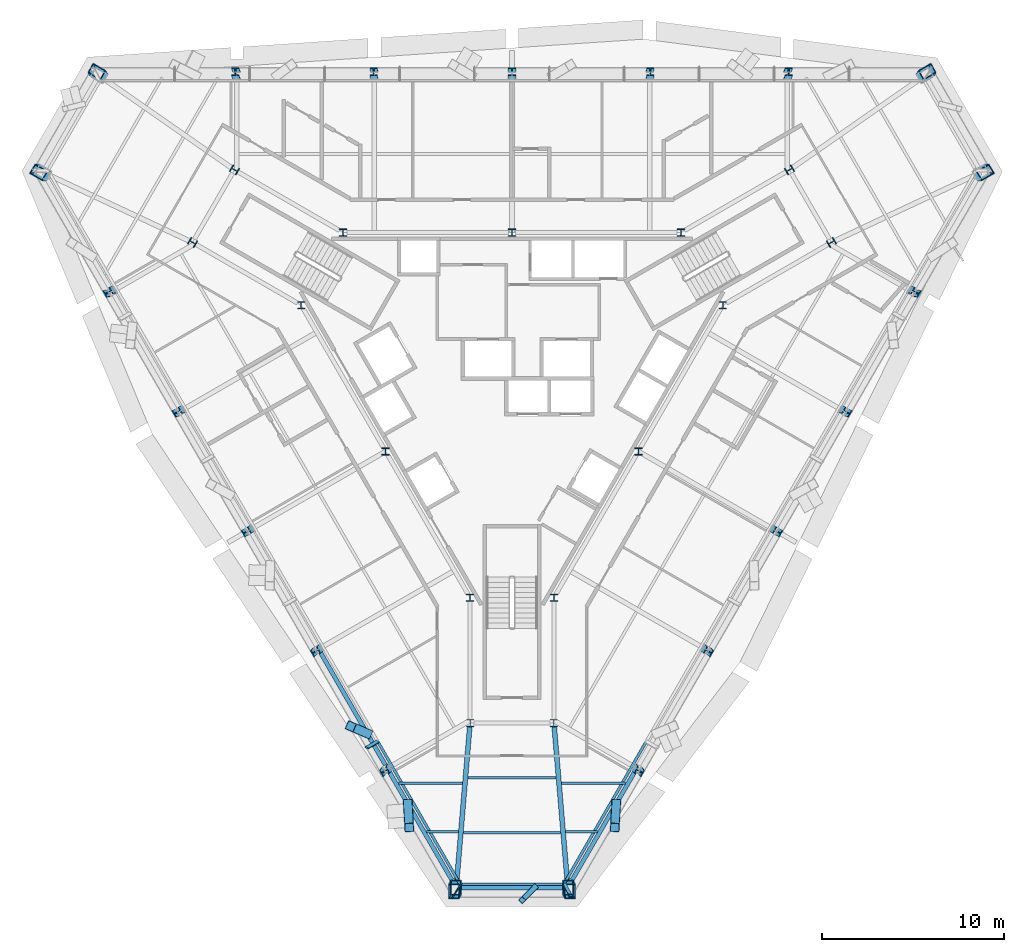
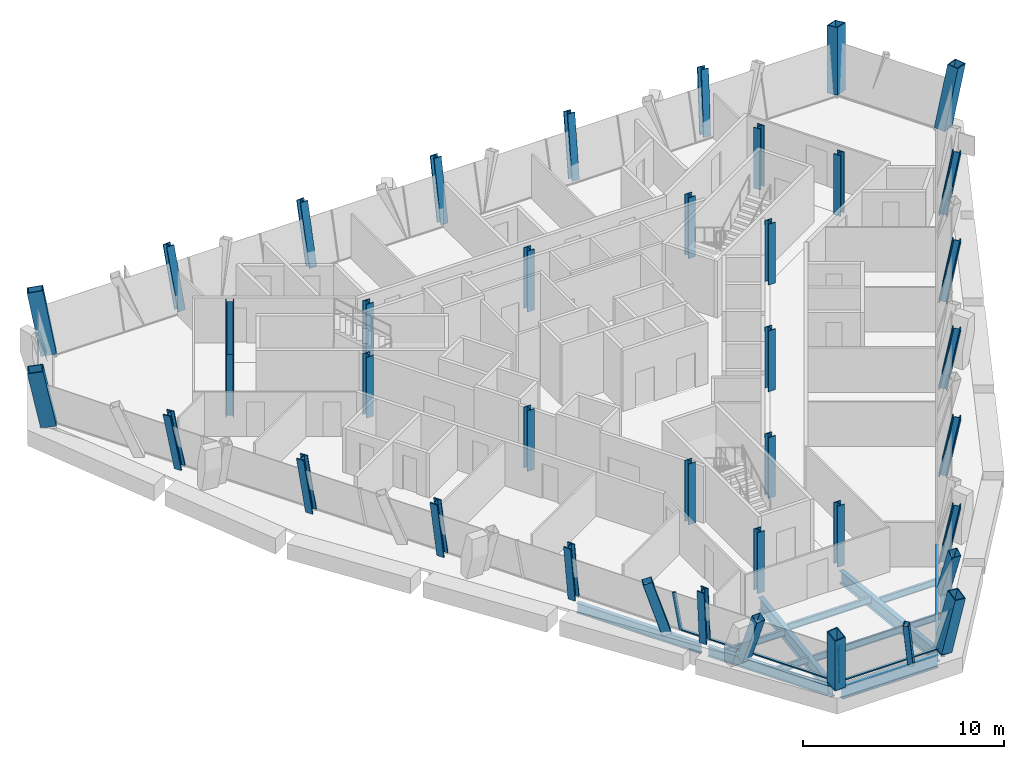
# One storey, part 1 of 11: 36 columns, 12 beams, 12 members, 3 elements without a shape of their own.
"""IFC4 building model written with IfcOpenShell, lengths in metres."""

from ifc_helpers import new_model, si_unit, direction, frame, origin, origin_2d, place, context, subcontext, project, spatial, rectangle, hollow_rectangle, i_section, extrude, material, material_profile, profile_set, type_object, element, aggregate, save


model = new_model("IFC4")

# Units and contexts
model_context = context("Model", 3, precision=1e-05, world=origin(), true_north=direction((0.0, 1.0)))
body_context = subcontext(model_context, "Body", "Model", "MODEL_VIEW")
ifc_project = project(units=[si_unit("LENGTHUNIT", "METRE"), si_unit("AREAUNIT", "SQUARE_METRE"), si_unit("VOLUMEUNIT", "CUBIC_METRE"), si_unit("PLANEANGLEUNIT", "RADIAN"), si_unit("MASSUNIT", "GRAM", prefix="KILO")], contexts=[model_context])

# Site, building, storey
site_placement = place(None, origin())
site = spatial("IfcSite", under=ifc_project, at=site_placement, CompositionType="ELEMENT")
building_placement = place(site_placement, origin())
building = spatial("IfcBuilding", under=site, at=building_placement, Name="Verrane Prism Tower", CompositionType="ELEMENT")
storey_placement = place(building_placement, frame((0.0, 0.0, 156.199951171875)))
storey = spatial("IfcBuildingStorey", under=building, at=storey_placement, Name="L38", CompositionType="ELEMENT", Elevation=156.199951171875)

# Columns
ifc_material_1 = material(Name="Steel A992", Category="steel")
ifc_material_profile_1 = material_profile(ifc_material_1, i_section(OverallWidth=0.406494140625, OverallDepth=0.41650390625, WebThickness=0.030029296875, FlangeThickness=0.048095703125, FilletRadius=0.01513671875, at=origin_2d()), Name="W14x257")
ifc_profile_set_1 = profile_set([ifc_material_profile_1], Name="Steel A992")
column_type_1 = type_object("IfcColumnType", Name="Core corner column W14x257", PredefinedType="COLUMN", material=ifc_profile_set_1)
for number, where, z_axis, x_axis, name in (
    (1, (17.52001953125, 7.4599609375, 0.0), (0.0, 0.0, 1.0), (0.5, -0.866025403784, 0.0), "Core corner column CK-NEm L38"),
    (2, (15.219970703125, 11.43994140625, 0.0), (0.0, 0.0, 1.0), (0.5, -0.866025403784, 0.0), "Core corner column CK-NEp L38"),
    (3, (-15.219970703125, 11.43994140625, 0.0), (0.0, 0.0, 1.0), (0.5, 0.866025403784, 0.0), "Core corner column CK-NWm L38"),
    (4, (-17.52001953125, 7.4599609375, 0.0), (0.0, 0.0, 1.0), (0.5, 0.866025403784, 0.0), "Core corner column CK-NWp L38"),
    (5, (-2.300048828125, -18.89990234375, 0.0), (0.0, 0.0, 1.0), (-1.0, 0.0, 0.0), "Core corner column CK-Sm L38"),
    (6, (2.300048828125, -18.89990234375, 0.0), (0.0, 0.0, 1.0), (-1.0, 0.0, 0.0), "Core corner column CK-Sp L38"),
):
    element("IfcColumn", number, at=place(storey_placement, frame(where, z_axis=z_axis, x_axis=x_axis)), inside=storey, type_object=column_type_1, Name=name, PredefinedType="COLUMN", context=body_context, shape_type="SweptSolid", body=[
        extrude(i_section(OverallWidth=0.406494140625, OverallDepth=0.41650390625, WebThickness=0.030029296875, FlangeThickness=0.048095703125, FilletRadius=0.01513671875, at=origin_2d()), origin(), (0.0, 0.0, 1.0), 3.699951171875),
    ])
ifc_material_2 = material(Name="Steel A992", Category="steel")
ifc_material_profile_2 = material_profile(ifc_material_2, i_section(OverallWidth=0.4013671875, OverallDepth=0.398681640625, WebThickness=0.02490234375, FlangeThickness=0.03955078125, FilletRadius=0.01513671875, at=origin_2d()), Name="W14x211")
ifc_profile_set_2 = profile_set([ifc_material_profile_2], Name="Steel A992")
column_type_2 = type_object("IfcColumnType", Name="Core side column W14x211", PredefinedType="COLUMN", material=ifc_profile_set_2)
for number, where, z_axis, x_axis, name in (
    (7, (11.56005859375, 4.02001953125, 0.0), (0.0, 0.0, 1.0), (1.0, 0.0, 0.0), "Core side column CC-NEm L38"),
    (8, (9.260009765625, 8.0, 0.0), (0.0, 0.0, 1.0), (1.0, 0.0, 0.0), "Core side column CC-NEp L38"),
    (9, (0.0, 8.0, 0.0), (0.0, 0.0, 1.0), (1.0, 0.0, 0.0), "Core side column CC-N0 L38"),
    (10, (-9.260009765625, 8.0, 0.0), (0.0, 0.0, 1.0), (1.0, 0.0, 0.0), "Core side column CC-NWm L38"),
    (11, (-11.56005859375, 4.02001953125, 0.0), (0.0, 0.0, 1.0), (1.0, 0.0, 0.0), "Core side column CC-NWp L38"),
    (12, (-6.929931640625, -4.0, 0.0), (0.0, 0.0, 1.0), (1.0, 0.0, 0.0), "Core side column CC-SW0 L38"),
    (13, (-2.300048828125, -12.02001953125, 0.0), (0.0, 0.0, 1.0), (1.0, 0.0, 0.0), "Core side column CC-Sm L38"),
    (14, (2.300048828125, -12.02001953125, 0.0), (0.0, 0.0, 1.0), (1.0, 0.0, 0.0), "Core side column CC-Sp L38"),
    (15, (6.929931640625, -4.0, 0.0), (0.0, 0.0, 1.0), (1.0, 0.0, 0.0), "Core side column CC-SE0 L38"),
):
    element("IfcColumn", number, at=place(storey_placement, frame(where, z_axis=z_axis, x_axis=x_axis)), inside=storey, type_object=column_type_2, Name=name, PredefinedType="COLUMN", context=body_context, shape_type="SweptSolid", body=[
        extrude(i_section(OverallWidth=0.4013671875, OverallDepth=0.398681640625, WebThickness=0.02490234375, FlangeThickness=0.03955078125, FilletRadius=0.01513671875, at=origin_2d()), origin(), (0.0, 0.0, 1.0), 3.699951171875),
    ])
ifc_material_3 = material(Name="Steel A572 Grade 50", Category="steel")
ifc_material_profile_3 = material_profile(ifc_material_3, hollow_rectangle(XDim=0.60009765625, YDim=0.800048828125, WallThickness=0.050048828125, at=origin_2d()), Name="BOX 800x600x50")
ifc_profile_set_3 = profile_set([ifc_material_profile_3], Name="Steel A572 Grade 50")
column_type_3 = type_object("IfcColumnType", Name="Megacolumn BOX 800x600x50", PredefinedType="COLUMN", material=ifc_profile_set_3)
for number, where, z_axis, x_axis, name in (
    (16, (22.647216796875, 16.622314453125, 0.06494140625), (0.108214891267, 0.184766906942, 0.976806391977), (0.497103756844, -0.860970557833, 0.107784755309), "Megacolumn MC-NE.b L38"),
    (17, (-22.647216796875, 16.622314453125, 0.06494140625), (-0.108214891267, 0.184766906942, 0.976806391977), (0.497103756844, 0.860970557833, -0.107784755309), "Megacolumn MC-NW.a L38"),
):
    element("IfcColumn", number, at=place(storey_placement, frame(where, z_axis=z_axis, x_axis=x_axis)), inside=storey, type_object=column_type_3, Name=name, PredefinedType="COLUMN", context=body_context, shape_type="SweptSolid", body=[
        extrude(hollow_rectangle(XDim=0.60009765625, YDim=0.800048828125, WallThickness=0.050048828125, at=origin_2d()), origin(), (0.0, 0.0, 1.0), 3.65478515625),
    ])
column_1_placement = place(storey_placement, frame((-25.72412109375, 11.300048828125, 0.06494140625), z_axis=(-0.211286194433, 0.0, 0.977424239541), x_axis=(0.497108841552, 0.861008442465, 0.107458185608)))
element("IfcColumn", 18, at=column_1_placement, inside=storey, type_object=column_type_3, Name="Megacolumn MC-NW.b L38", PredefinedType="COLUMN", context=body_context, shape_type="SweptSolid", body=[
    extrude(hollow_rectangle(XDim=0.60009765625, YDim=0.800048828125, WallThickness=0.050048828125, at=origin_2d()), origin(), (0.0, 0.0, 1.0), 3.652587890625),
])
for number, where, z_axis, x_axis, name in (
    (19, (-3.067138671875, -27.92236328125, 0.06494140625), (-0.108280907616, -0.184765570923, 0.976799328853), (-0.993916919326, 0.000244547388, -0.110132182736), "Megacolumn MC-S.a L38"),
    (20, (3.067138671875, -27.92236328125, 0.06494140625), (0.108280907616, -0.184765570923, 0.976799328853), (-0.993916919326, -0.000244547388, 0.110132182736), "Megacolumn MC-S.b L38"),
):
    element("IfcColumn", number, at=place(storey_placement, frame(where, z_axis=z_axis, x_axis=x_axis)), inside=storey, type_object=column_type_3, Name=name, PredefinedType="COLUMN", context=body_context, shape_type="SweptSolid", body=[
        extrude(hollow_rectangle(XDim=0.60009765625, YDim=0.800048828125, WallThickness=0.050048828125, at=origin_2d()), origin(), (0.0, 0.0, 1.0), 3.65478515625),
    ])
column_2_placement = place(storey_placement, frame((25.72412109375, 11.300048828125, 0.06494140625), z_axis=(0.211286194433, 0.0, 0.977424239541), x_axis=(0.497108841552, -0.861008442465, -0.107458185608)))
element("IfcColumn", 21, at=column_2_placement, inside=storey, type_object=column_type_3, Name="Megacolumn MC-NE.a L38", PredefinedType="COLUMN", context=body_context, shape_type="SweptSolid", body=[
    extrude(hollow_rectangle(XDim=0.60009765625, YDim=0.800048828125, WallThickness=0.050048828125, at=origin_2d()), origin(), (0.0, 0.0, 1.0), 3.652587890625),
])
ifc_material_4 = material(Name="Steel A992", Category="steel")
ifc_material_profile_4 = material_profile(ifc_material_4, i_section(OverallWidth=0.411376953125, OverallDepth=0.434326171875, WebThickness=0.035888671875, FlangeThickness=0.057373046875, FilletRadius=0.01513671875, at=origin_2d()), Name="W14x311")
ifc_profile_set_4 = profile_set([ifc_material_profile_4], Name="Steel A992")
column_type_4 = type_object("IfcColumnType", Name="Perimeter column W14x311", PredefinedType="COLUMN", material=ifc_profile_set_4)
column_3_placement = place(storey_placement, frame((15.102783203125, 16.61767578125, 0.0400390625), z_axis=(0.07158064403, 0.18539585088, 0.980053360729), x_axis=(0.997347895747, -0.000332290122, -0.072780934536)))
element("IfcColumn", 22, at=column_3_placement, inside=storey, type_object=column_type_4, Name="Perimeter column PC-N1 L38", PredefinedType="COLUMN", context=body_context, shape_type="SweptSolid", body=[
    extrude(i_section(OverallWidth=0.411376953125, OverallDepth=0.434326171875, WebThickness=0.035888671875, FlangeThickness=0.057373046875, FilletRadius=0.01513671875, at=origin_2d()), origin(), (0.0, 0.0, 1.0), 3.69384765625),
])
column_4_placement = place(storey_placement, frame((7.55126953125, 16.61669921875, 0.03515625), z_axis=(0.034476452956, 0.185789774263, 0.981984487643), x_axis=(0.999383292178, 0.000142737078, -0.035114312478)))
element("IfcColumn", 23, at=column_4_placement, inside=storey, type_object=column_type_4, Name="Perimeter column PC-N2 L38", PredefinedType="COLUMN", context=body_context, shape_type="SweptSolid", body=[
    extrude(i_section(OverallWidth=0.411376953125, OverallDepth=0.434326171875, WebThickness=0.035888671875, FlangeThickness=0.057373046875, FilletRadius=0.01513671875, at=origin_2d()), origin(), (0.0, 0.0, 1.0), 3.696533203125),
])
column_5_placement = place(storey_placement, frame((0.0, 16.61669921875, 0.03515625), z_axis=(0.0, 0.185900290054, 0.982568614478), x_axis=(1.0, 0.0, 0.0)))
element("IfcColumn", 24, at=column_5_placement, inside=storey, type_object=column_type_4, Name="Perimeter column PC-N3 L38", PredefinedType="COLUMN", context=body_context, shape_type="SweptSolid", body=[
    extrude(i_section(OverallWidth=0.411376953125, OverallDepth=0.434326171875, WebThickness=0.035888671875, FlangeThickness=0.057373046875, FilletRadius=0.01513671875, at=origin_2d()), origin(), (0.0, 0.0, 1.0), 3.6943359375),
])
column_6_placement = place(storey_placement, frame((-7.55126953125, 16.61669921875, 0.03515625), z_axis=(-0.034476452956, 0.185789774263, 0.981984487643), x_axis=(0.999383292178, -0.000142737078, 0.035114312478)))
element("IfcColumn", 25, at=column_6_placement, inside=storey, type_object=column_type_4, Name="Perimeter column PC-N4 L38", PredefinedType="COLUMN", context=body_context, shape_type="SweptSolid", body=[
    extrude(i_section(OverallWidth=0.411376953125, OverallDepth=0.434326171875, WebThickness=0.035888671875, FlangeThickness=0.057373046875, FilletRadius=0.01513671875, at=origin_2d()), origin(), (0.0, 0.0, 1.0), 3.696533203125),
])
column_7_placement = place(storey_placement, frame((-15.102783203125, 16.61767578125, 0.0400390625), z_axis=(-0.07158064403, 0.18539585088, 0.980053360729), x_axis=(0.997347895747, 0.000332290122, 0.072780934536)))
element("IfcColumn", 26, at=column_7_placement, inside=storey, type_object=column_type_4, Name="Perimeter column PC-N5 L38", PredefinedType="COLUMN", context=body_context, shape_type="SweptSolid", body=[
    extrude(i_section(OverallWidth=0.411376953125, OverallDepth=0.434326171875, WebThickness=0.035888671875, FlangeThickness=0.057373046875, FilletRadius=0.01513671875, at=origin_2d()), origin(), (0.0, 0.0, 1.0), 3.69384765625),
])
column_8_placement = place(storey_placement, frame((-21.93798828125, 4.768798828125, 0.0400390625), z_axis=(-0.196042418618, -0.031792448872, 0.980079899956), x_axis=(-0.498718040148, 0.863790562914, -0.071736879304)))
element("IfcColumn", 27, at=column_8_placement, inside=storey, type_object=column_type_4, Name="Perimeter column PC-SW1 L38", PredefinedType="COLUMN", context=body_context, shape_type="SweptSolid", body=[
    extrude(i_section(OverallWidth=0.411376953125, OverallDepth=0.434326171875, WebThickness=0.035888671875, FlangeThickness=0.057373046875, FilletRadius=0.01513671875, at=origin_2d()), origin(), (0.0, 0.0, 1.0), 3.693603515625),
])
column_9_placement = place(storey_placement, frame((-18.166259765625, -1.772216796875, 0.03515625), z_axis=(-0.177894974061, -0.061037859648, 0.982154650701), x_axis=(-0.499529516713, 0.86551959835, -0.036689055665)))
element("IfcColumn", 28, at=column_9_placement, inside=storey, type_object=column_type_4, Name="Perimeter column PC-SW2 L38", PredefinedType="COLUMN", context=body_context, shape_type="SweptSolid", body=[
    extrude(i_section(OverallWidth=0.411376953125, OverallDepth=0.434326171875, WebThickness=0.035888671875, FlangeThickness=0.057373046875, FilletRadius=0.01513671875, at=origin_2d()), origin(), (0.0, 0.0, 1.0), 3.69580078125),
])
column_10_placement = place(storey_placement, frame((-14.3857421875, -8.30322265625, 0.03515625), z_axis=(-0.161950913523, -0.092968149868, 0.982409703087), x_axis=(-0.500182531239, 0.865919842872, -0.000511041508)))
element("IfcColumn", 29, at=column_10_placement, inside=storey, type_object=column_type_4, Name="Perimeter column PC-SW3 L38", PredefinedType="COLUMN", context=body_context, shape_type="SweptSolid", body=[
    extrude(i_section(OverallWidth=0.411376953125, OverallDepth=0.434326171875, WebThickness=0.035888671875, FlangeThickness=0.057373046875, FilletRadius=0.01513671875, at=origin_2d()), origin(), (0.0, 0.0, 1.0), 3.69482421875),
])
column_11_placement = place(storey_placement, frame((-10.614990234375, -14.844482421875, 0.03515625), z_axis=(-0.143357652075, -0.124736344896, 0.981778706152), x_axis=(-0.499529814587, 0.865505199982, 0.037023143348)))
element("IfcColumn", 30, at=column_11_placement, inside=storey, type_object=column_type_4, Name="Perimeter column PC-SW4 L38", PredefinedType="COLUMN", context=body_context, shape_type="SweptSolid", body=[
    extrude(i_section(OverallWidth=0.411376953125, OverallDepth=0.434326171875, WebThickness=0.035888671875, FlangeThickness=0.057373046875, FilletRadius=0.01513671875, at=origin_2d()), origin(), (0.0, 0.0, 1.0), 3.697265625),
])
for number, where, z_axis, x_axis, name in (
    (31, (-6.84521484375, -21.38623046875, 0.0400390625), (-0.124482095085, -0.153635894306, 0.980255181054), (-0.498752469691, 0.863745542287, 0.072038962763), "Perimeter column PC-SW5 L38"),
    (32, (6.84521484375, -21.38623046875, 0.0400390625), (0.124482095085, -0.153635894306, 0.980255181054), (-0.498752469691, -0.863745542287, -0.072038962763), "Perimeter column PC-SE1 L38"),
):
    element("IfcColumn", number, at=place(storey_placement, frame(where, z_axis=z_axis, x_axis=x_axis)), inside=storey, type_object=column_type_4, Name=name, PredefinedType="COLUMN", context=body_context, shape_type="SweptSolid", body=[
        extrude(i_section(OverallWidth=0.411376953125, OverallDepth=0.434326171875, WebThickness=0.035888671875, FlangeThickness=0.057373046875, FilletRadius=0.01513671875, at=origin_2d()), origin(), (0.0, 0.0, 1.0), 3.693115234375),
    ])
column_12_placement = place(storey_placement, frame((10.614990234375, -14.844482421875, 0.03515625), z_axis=(0.143357652075, -0.124736344896, 0.981778706152), x_axis=(-0.499529814587, -0.865505199982, -0.037023143348)))
element("IfcColumn", 33, at=column_12_placement, inside=storey, type_object=column_type_4, Name="Perimeter column PC-SE2 L38", PredefinedType="COLUMN", context=body_context, shape_type="SweptSolid", body=[
    extrude(i_section(OverallWidth=0.411376953125, OverallDepth=0.434326171875, WebThickness=0.035888671875, FlangeThickness=0.057373046875, FilletRadius=0.01513671875, at=origin_2d()), origin(), (0.0, 0.0, 1.0), 3.697265625),
])
column_13_placement = place(storey_placement, frame((14.3857421875, -8.30322265625, 0.03515625), z_axis=(0.161950913523, -0.092968149868, 0.982409703087), x_axis=(-0.500182531239, -0.865919842872, 0.000511041508)))
element("IfcColumn", 34, at=column_13_placement, inside=storey, type_object=column_type_4, Name="Perimeter column PC-SE3 L38", PredefinedType="COLUMN", context=body_context, shape_type="SweptSolid", body=[
    extrude(i_section(OverallWidth=0.411376953125, OverallDepth=0.434326171875, WebThickness=0.035888671875, FlangeThickness=0.057373046875, FilletRadius=0.01513671875, at=origin_2d()), origin(), (0.0, 0.0, 1.0), 3.69482421875),
])
column_14_placement = place(storey_placement, frame((18.166259765625, -1.772216796875, 0.03515625), z_axis=(0.177894974061, -0.061037859648, 0.982154650701), x_axis=(-0.499529516713, -0.86551959835, 0.036689055665)))
element("IfcColumn", 35, at=column_14_placement, inside=storey, type_object=column_type_4, Name="Perimeter column PC-SE4 L38", PredefinedType="COLUMN", context=body_context, shape_type="SweptSolid", body=[
    extrude(i_section(OverallWidth=0.411376953125, OverallDepth=0.434326171875, WebThickness=0.035888671875, FlangeThickness=0.057373046875, FilletRadius=0.01513671875, at=origin_2d()), origin(), (0.0, 0.0, 1.0), 3.69580078125),
])
column_15_placement = place(storey_placement, frame((21.93798828125, 4.768798828125, 0.0400390625), z_axis=(0.196042418618, -0.031792448872, 0.980079899956), x_axis=(-0.498718040148, -0.863790562914, 0.071736879304)))
element("IfcColumn", 36, at=column_15_placement, inside=storey, type_object=column_type_4, Name="Perimeter column PC-SE5 L38", PredefinedType="COLUMN", context=body_context, shape_type="SweptSolid", body=[
    extrude(i_section(OverallWidth=0.411376953125, OverallDepth=0.434326171875, WebThickness=0.035888671875, FlangeThickness=0.057373046875, FilletRadius=0.01513671875, at=origin_2d()), origin(), (0.0, 0.0, 1.0), 3.693603515625),
])

# Member
ifc_material_5 = material(Name="Steel A500 Grade C", Category="steel")
ifc_material_profile_5 = material_profile(ifc_material_5, hollow_rectangle(XDim=0.3046875, YDim=0.3046875, WallThickness=0.0126953125, InnerFilletRadius=0.00634765625, OuterFilletRadius=0.01904296875, at=origin_2d()), Name="HSS12x12x1/2")
ifc_profile_set_5 = profile_set([ifc_material_profile_5], Name="Steel A500 Grade C")
member_type_1 = type_object("IfcMemberType", Name="Chamfer brace HSS12x12x1/2", PredefinedType="BRACE", material=ifc_profile_set_5)
member_1_placement = place(storey_placement, frame((1.24609375, -27.909912109375, -0.242431640625), z_axis=(-0.210213852992, -0.214858635203, 0.953753586043), x_axis=(0.71479069039, -0.699338450918, 0.0)))
element("IfcMember", 37, at=member_1_placement, inside=storey, type_object=member_type_1, Name="Chamfer brace S0 L38", PredefinedType="BRACE", context=body_context, shape_type="SweptSolid", body=[
    extrude(hollow_rectangle(XDim=0.3046875, YDim=0.3046875, WallThickness=0.0126953125, InnerFilletRadius=0.00634765625, OuterFilletRadius=0.01904296875, at=origin_2d()), origin(), (0.0, 0.0, 1.0), 3.2587890625),
])

# Beams
ifc_material_6 = material(Name="Steel A992", Category="steel")
ifc_material_profile_6 = material_profile(ifc_material_6, i_section(OverallWidth=0.2666015625, OverallDepth=0.7568359375, WebThickness=0.013916015625, FlangeThickness=0.019287109375, FilletRadius=0.0166015625, at=origin_2d()), Name="W30x108")
ifc_profile_set_6 = profile_set([ifc_material_profile_6], Name="Steel A992")
beam_type_1 = type_object("IfcBeamType", Name="Chamfer spandrel beam W30x108", PredefinedType="SPANDREL", material=ifc_profile_set_6)
beam_1_placement = place(storey_placement, frame((-2.760009765625, -27.909912109375, -0.538330078125), z_axis=(1.0, 0.0, 0.0), x_axis=(0.0, 1.0, 0.0)))
element("IfcBeam", 38, at=beam_1_placement, inside=storey, type_object=beam_type_1, Name="Chamfer spandrel beam L38", PredefinedType="SPANDREL", context=body_context, shape_type="SweptSolid", body=[
    extrude(i_section(OverallWidth=0.2666015625, OverallDepth=0.7568359375, WebThickness=0.013916015625, FlangeThickness=0.019287109375, FilletRadius=0.0166015625, at=origin_2d()), origin(), (0.0, 0.0, 1.0), 5.52001953125),
])
ifc_material_7 = material(Name="Steel A992", Category="steel")
ifc_material_profile_7 = material_profile(ifc_material_7, i_section(OverallWidth=0.2666015625, OverallDepth=0.76708984375, WebThickness=0.014892578125, FlangeThickness=0.023681640625, FilletRadius=0.0166015625, at=origin_2d()), Name="W30x124")
ifc_profile_set_7 = profile_set([ifc_material_profile_7], Name="Steel A992")
beam_type_2 = type_object("IfcBeamType", Name="Corner girder W30x124", PredefinedType="BEAM", material=ifc_profile_set_7)
for number, where, z_axis, x_axis, name in (
    (39, (-3.0263671875, -27.510009765625, -0.603515625), (0.084059094497, 0.996460771246, 0.0), (-0.996460771246, 0.084059094497, 0.0), "Corner girder L38"),
    (40, (3.0263671875, -27.510009765625, -0.603515625), (-0.084059094497, 0.996460771246, 0.0), (-0.996460771246, -0.084059094497, 0.0), "Corner girder L38"),
):
    element("IfcBeam", number, at=place(storey_placement, frame(where, z_axis=z_axis, x_axis=x_axis)), inside=storey, type_object=beam_type_2, Name=name, PredefinedType="BEAM", context=body_context, shape_type="SweptSolid", body=[
        extrude(i_section(OverallWidth=0.2666015625, OverallDepth=0.76708984375, WebThickness=0.014892578125, FlangeThickness=0.023681640625, FilletRadius=0.0166015625, at=origin_2d()), origin(), (0.0, 0.0, 1.0), 8.431396484375),
    ])

# Members
ifc_material_8 = material(Name="Steel A500 Grade C", Category="steel")
ifc_material_profile_8 = material_profile(ifc_material_8, hollow_rectangle(XDim=0.508056640625, YDim=0.508056640625, WallThickness=0.01904296875, InnerFilletRadius=0.009521484375, OuterFilletRadius=0.028564453125, at=origin_2d()), Name="HSS20x20x3/4")
ifc_profile_set_8 = profile_set([ifc_material_profile_8], Name="Steel A500 Grade C")
member_type_2 = type_object("IfcMemberType", Name="Facade brace HSS20x20x3/4", PredefinedType="BRACE", material=ifc_profile_set_8)
member_2_placement = place(storey_placement, frame((-7.94775390625, -19.458251953125, -0.216552734375), z_axis=(-0.267819307793, 0.114654432176, 0.956622798994), x_axis=(-0.393555993341, -0.919300647289, 0.0)))
element("IfcMember", 41, at=member_2_placement, inside=storey, type_object=member_type_2, Name="Facade brace SW4 L38", PredefinedType="BRACE", context=body_context, shape_type="SweptSolid", body=[
    extrude(hollow_rectangle(XDim=0.508056640625, YDim=0.508056640625, WallThickness=0.01904296875, InnerFilletRadius=0.009521484375, OuterFilletRadius=0.028564453125, at=origin_2d()), origin(), (0.0, 0.0, 1.0), 3.341064453125),
])
for number, where, z_axis, x_axis, name in (
    (42, (-5.714111328125, -23.3251953125, -0.216552734375), (0.022351110874, -0.376998167586, 0.9259442799), (0.998247142151, 0.05918313263, 0.0), "Facade brace SW5 L38"),
    (43, (5.714111328125, -23.3251953125, -0.216552734375), (-0.022351110874, -0.376998167586, 0.9259442799), (0.998247142151, -0.05918313263, 0.0), "Facade brace SE0 L38"),
):
    element("IfcMember", number, at=place(storey_placement, frame(where, z_axis=z_axis, x_axis=x_axis)), inside=storey, type_object=member_type_2, Name=name, PredefinedType="BRACE", context=body_context, shape_type="SweptSolid", body=[
        extrude(hollow_rectangle(XDim=0.508056640625, YDim=0.508056640625, WallThickness=0.01904296875, InnerFilletRadius=0.009521484375, OuterFilletRadius=0.028564453125, at=origin_2d()), origin(), (0.0, 0.0, 1.0), 3.45166015625),
    ])

# Beams
ifc_material_9 = material(Name="Steel A992", Category="steel")
ifc_material_profile_9 = material_profile(ifc_material_9, i_section(OverallWidth=0.140380859375, OverallDepth=0.40380859375, WebThickness=0.007080078125, FlangeThickness=0.01123046875, FilletRadius=0.01025390625, at=origin_2d()), Name="W16x31")
ifc_profile_set_9 = profile_set([ifc_material_profile_9], Name="Steel A992")
beam_type_3 = type_object("IfcBeamType", Name="Floor beam W16x31", PredefinedType="BEAM", material=ifc_profile_set_9)
beam_2_placement = place(storey_placement, frame((-4.692626953125, -24.860107421875, -0.36181640625), z_axis=(1.0, 0.0, 0.0), x_axis=(0.0, 1.0, 0.0)))
element("IfcBeam", 44, at=beam_2_placement, inside=storey, type_object=beam_type_3, Name="Floor beam L38", PredefinedType="BEAM", context=body_context, shape_type="SweptSolid", body=[
    extrude(i_section(OverallWidth=0.140380859375, OverallDepth=0.40380859375, WebThickness=0.007080078125, FlangeThickness=0.01123046875, FilletRadius=0.01025390625, at=origin_2d()), origin(), (0.0, 0.0, 1.0), 1.755859375),
])
beam_3_placement = place(storey_placement, frame((-6.226806640625, -22.2099609375, -0.36181640625), z_axis=(1.0, 0.0, 0.0), x_axis=(0.0, 1.0, 0.0)))
element("IfcBeam", 45, at=beam_3_placement, inside=storey, type_object=beam_type_3, Name="Floor beam L38", PredefinedType="BEAM", context=body_context, shape_type="SweptSolid", body=[
    extrude(i_section(OverallWidth=0.140380859375, OverallDepth=0.40380859375, WebThickness=0.007080078125, FlangeThickness=0.01123046875, FilletRadius=0.01025390625, at=origin_2d()), origin(), (0.0, 0.0, 1.0), 3.513671875),
])
beam_4_placement = place(storey_placement, frame((2.936767578125, -24.860107421875, -0.36181640625), z_axis=(1.0, 0.0, 0.0), x_axis=(0.0, 1.0, 0.0)))
element("IfcBeam", 46, at=beam_4_placement, inside=storey, type_object=beam_type_3, Name="Floor beam L38", PredefinedType="BEAM", context=body_context, shape_type="SweptSolid", body=[
    extrude(i_section(OverallWidth=0.140380859375, OverallDepth=0.40380859375, WebThickness=0.007080078125, FlangeThickness=0.01123046875, FilletRadius=0.01025390625, at=origin_2d()), origin(), (0.0, 0.0, 1.0), 1.755859375),
])
beam_5_placement = place(storey_placement, frame((2.713134765625, -22.2099609375, -0.36181640625), z_axis=(1.0, 0.0, 0.0), x_axis=(0.0, 1.0, 0.0)))
element("IfcBeam", 47, at=beam_5_placement, inside=storey, type_object=beam_type_3, Name="Floor beam L38", PredefinedType="BEAM", context=body_context, shape_type="SweptSolid", body=[
    extrude(i_section(OverallWidth=0.140380859375, OverallDepth=0.40380859375, WebThickness=0.007080078125, FlangeThickness=0.01123046875, FilletRadius=0.01025390625, at=origin_2d()), origin(), (0.0, 0.0, 1.0), 3.513671875),
])
beam_6_placement = place(storey_placement, frame((-2.672607421875, -24.90673828125, -0.36181640625), z_axis=(1.0, 0.0, 0.0), x_axis=(0.0, 1.0, 0.0)))
element("IfcBeam", 48, at=beam_6_placement, inside=storey, type_object=beam_type_3, Name="Floor beam L38", PredefinedType="BEAM", context=body_context, shape_type="SweptSolid", body=[
    extrude(i_section(OverallWidth=0.140380859375, OverallDepth=0.40380859375, WebThickness=0.007080078125, FlangeThickness=0.01123046875, FilletRadius=0.01025390625, at=origin_2d()), origin(), (0.0, 0.0, 1.0), 5.34521484375),
])
beam_7_placement = place(storey_placement, frame((-2.41943359375, -21.9033203125, -0.36181640625), z_axis=(1.0, 0.0, 0.0), x_axis=(0.0, 1.0, 0.0)))
element("IfcBeam", 49, at=beam_7_placement, inside=storey, type_object=beam_type_3, Name="Floor beam L38", PredefinedType="BEAM", context=body_context, shape_type="SweptSolid", body=[
    extrude(i_section(OverallWidth=0.140380859375, OverallDepth=0.40380859375, WebThickness=0.007080078125, FlangeThickness=0.01123046875, FilletRadius=0.01025390625, at=origin_2d()), origin(), (0.0, 0.0, 1.0), 4.8388671875),
])

# Members
ifc_material_10 = material(Name="Steel A572 Grade 50", Category="steel")
ifc_material_profile_10 = material_profile(ifc_material_10, hollow_rectangle(XDim=0.60009765625, YDim=0.800048828125, WallThickness=0.050048828125, at=origin_2d()), Name="BOX 800x600x50")
ifc_profile_set_10 = profile_set([ifc_material_profile_10], Name="Steel A572 Grade 50")
member_type_3 = type_object("IfcMemberType", Name="Kink node BOX 800x600x50", PredefinedType="COLLAR", material=ifc_profile_set_10)
for number, where, z_axis, x_axis, name in (
    (50, (-3.063720703125, -27.916259765625, -0.06494140625), (0.0, 0.0, 1.0), (-1.0, 0.0, 0.0), "Kink node MC4 L38"),
    (51, (3.063720703125, -27.916259765625, -0.06494140625), (0.0, 0.0, 1.0), (-1.0, 0.0, 0.0), "Kink node MC4 L38"),
):
    element("IfcMember", number, at=place(storey_placement, frame(where, z_axis=z_axis, x_axis=x_axis)), inside=storey, type_object=member_type_3, Name=name, PredefinedType="COLLAR", context=body_context, shape_type="SweptSolid", body=[
        extrude(hollow_rectangle(XDim=0.60009765625, YDim=0.800048828125, WallThickness=0.050048828125, at=origin_2d()), origin(), (0.0, 0.0, 1.0), 0.1298828125),
    ])

# Curtain wall, member
ifc_material_11 = material(Name="Aluminium framed insulated glazing", Category="aluminium")
curtain_wall_type = type_object("IfcCurtainWallType", Name="Curtain wall CW-A 8400 module", PredefinedType="NOTDEFINED", material=ifc_material_11)
curtain_wall_1_placement = place(storey_placement, origin())
curtain_wall_1 = element("IfcCurtainWall", 52, at=curtain_wall_1_placement, inside=storey, type_object=curtain_wall_type, Name="Glazed curtain wall south-west face L38", PredefinedType="NOTDEFINED")
ifc_material_12 = material(Name="Aluminium alloy 6063-T6", Category="aluminium")
ifc_material_profile_11 = material_profile(ifc_material_12, rectangle(XDim=0.199951171875, YDim=0.070068359375, at=origin_2d()), Name="Mullion 70x200 aluminium")
ifc_profile_set_11 = profile_set([ifc_material_profile_11], Name="Aluminium alloy 6063-T6")
member_type_4 = type_object("IfcMemberType", Name="Mullion 70x200 aluminium", PredefinedType="MULLION", material=ifc_profile_set_11)
member_3_placement = place(storey_placement, frame((-7.36328125, -19.90869140625, 0.0), z_axis=(-0.216367259975, -0.124870835096, 0.968293593572), x_axis=(0.852210372417, -0.508070436891, 0.124907615069)))
member_3 = element("IfcMember", 53, at=member_3_placement, type_object=member_type_4, Name="CW36.4 mullion 5", PredefinedType="MULLION", context=body_context, shape_type="SweptSolid", body=[
    extrude(rectangle(XDim=0.199951171875, YDim=0.070068359375, at=origin_2d()), origin(), (0.0, 0.0, 1.0), 2.8017578125),
])

curtain_wall_2_placement = place(storey_placement, origin())
curtain_wall_2 = element("IfcCurtainWall", 54, at=curtain_wall_2_placement, inside=storey, type_object=curtain_wall_type, Name="Glazed curtain wall south corner L38", PredefinedType="NOTDEFINED")
member_4_placement = place(storey_placement, frame((-2.808349609375, -27.7373046875, 0.0), z_axis=(-0.154784599439, -0.246897792654, 0.956599815889), x_axis=(0.508114104522, 0.810495690639, 0.291404859673)))
member_4 = element("IfcMember", 55, at=member_4_placement, type_object=member_type_4, Name="CW36.5 mullion 1", PredefinedType="MULLION", context=body_context, shape_type="SweptSolid", body=[
    extrude(rectangle(XDim=0.199951171875, YDim=0.070068359375, at=origin_2d()), origin(), (0.0, 0.0, 1.0), 2.8359375),
])

curtain_wall_3_placement = place(storey_placement, origin())
curtain_wall_3 = element("IfcCurtainWall", 56, at=curtain_wall_3_placement, inside=storey, type_object=curtain_wall_type, Name="Glazed curtain wall south-east face L38", PredefinedType="NOTDEFINED")
member_5_placement = place(storey_placement, frame((2.86083984375, -27.70703125, 0.0), z_axis=(0.136276012567, -0.257572855085, 0.956600790676), x_axis=(-0.989169028978, 0.017772315494, 0.145700984596)))
member_5 = element("IfcMember", 57, at=member_5_placement, type_object=member_type_4, Name="CW36.6 mullion 1", PredefinedType="MULLION", context=body_context, shape_type="SweptSolid", body=[
    extrude(rectangle(XDim=0.199951171875, YDim=0.070068359375, at=origin_2d()), origin(), (0.0, 0.0, 1.0), 2.8359375),
])

# Beams
ifc_material_13 = material(Name="Steel A992", Category="steel")
ifc_material_profile_12 = material_profile(ifc_material_13, i_section(OverallWidth=0.23046875, OverallDepth=0.6171875, WebThickness=0.01318359375, FlangeThickness=0.022216796875, FilletRadius=0.012939453125, at=origin_2d()), Name="W24x94")
ifc_profile_set_12 = profile_set([ifc_material_profile_12], Name="Steel A992")
beam_type_4 = type_object("IfcBeamType", Name="Spandrel beam W24x94", PredefinedType="SPANDREL", material=ifc_profile_set_12)
beam_8_placement = place(storey_placement, frame((-10.50732421875, -15.018310546875, -0.468505859375), z_axis=(0.499432230493, -0.866352957601, 0.0), x_axis=(0.866352957601, 0.499432230493, 0.0)))
element("IfcBeam", 58, at=beam_8_placement, inside=storey, type_object=beam_type_4, Name="Spandrel beam L38", PredefinedType="SPANDREL", context=body_context, shape_type="SweptSolid", body=[
    extrude(i_section(OverallWidth=0.23046875, OverallDepth=0.6171875, WebThickness=0.01318359375, FlangeThickness=0.022216796875, FilletRadius=0.012939453125, at=origin_2d()), origin(), (0.0, 0.0, 1.0), 7.137451171875),
])
for number, where, z_axis, x_axis, name in (
    (59, (-6.73681640625, -21.55810546875, -0.468505859375), (0.500978894628, -0.865459500576, 0.0), (0.865459500576, 0.500978894628, 0.0), "Spandrel beam L38"),
    (60, (3.29150390625, -27.510009765625, -0.468505859375), (0.500978894628, 0.865459500576, 0.0), (-0.865459500576, 0.500978894628, 0.0), "Spandrel beam L38"),
):
    element("IfcBeam", number, at=place(storey_placement, frame(where, z_axis=z_axis, x_axis=x_axis)), inside=storey, type_object=beam_type_4, Name=name, PredefinedType="SPANDREL", context=body_context, shape_type="SweptSolid", body=[
        extrude(i_section(OverallWidth=0.23046875, OverallDepth=0.6171875, WebThickness=0.01318359375, FlangeThickness=0.022216796875, FilletRadius=0.012939453125, at=origin_2d()), origin(), (0.0, 0.0, 1.0), 6.877197265625),
    ])

# Member
ifc_material_14 = material(Name="Aluminium alloy 6063-T6", Category="aluminium")
ifc_material_profile_13 = material_profile(ifc_material_14, rectangle(XDim=0.14990234375, YDim=0.070068359375, at=origin_2d()), Name="Transom 70x150 aluminium")
ifc_profile_set_13 = profile_set([ifc_material_profile_13], Name="Aluminium alloy 6063-T6")
member_type_5 = type_object("IfcMemberType", Name="Transom 70x150 aluminium", PredefinedType="USERDEFINED", material=ifc_profile_set_13)
member_6_placement = place(storey_placement, frame((-7.345703125, -19.93896484375, 0.03515625), z_axis=(0.500005646842, -0.866022143554, 0.0), x_axis=(0.866022143554, 0.500005646842, 0.0)))
member_6 = element("IfcMember", 61, at=member_6_placement, type_object=member_type_5, Name="CW36.4 transom 5", ObjectType="TRANSOM", PredefinedType="USERDEFINED", context=body_context, shape_type="SweptSolid", body=[
    extrude(rectangle(XDim=0.14990234375, YDim=0.070068359375, at=origin_2d()), origin(), (0.0, 0.0, 1.0), 9.0048828125),
])

aggregate(curtain_wall_1, [member_3, member_6])

member_7_placement = place(storey_placement, frame((-2.773193359375, -27.7373046875, 0.03515625), z_axis=(1.0, 0.0, 0.0), x_axis=(0.0, 1.0, 0.0)))
member_7 = element("IfcMember", 62, at=member_7_placement, type_object=member_type_5, Name="CW36.5 transom 1", ObjectType="TRANSOM", PredefinedType="USERDEFINED", context=body_context, shape_type="SweptSolid", body=[
    extrude(rectangle(XDim=0.14990234375, YDim=0.070068359375, at=origin_2d()), origin(), (0.0, 0.0, 1.0), 5.616455078125),
])

aggregate(curtain_wall_2, [member_4, member_7])

member_8_placement = place(storey_placement, frame((2.87841796875, -27.6767578125, 0.03515625), z_axis=(0.499988945067, 0.866031786259, 0.0), x_axis=(-0.866031786259, 0.499988945067, 0.0)))
member_8 = element("IfcMember", 63, at=member_8_placement, type_object=member_type_5, Name="CW36.6 transom 1", ObjectType="TRANSOM", PredefinedType="USERDEFINED", context=body_context, shape_type="SweptSolid", body=[
    extrude(rectangle(XDim=0.14990234375, YDim=0.070068359375, at=origin_2d()), origin(), (0.0, 0.0, 1.0), 8.934814453125),
])

aggregate(curtain_wall_3, [member_5, member_8])

save(model, "model.ifc")
